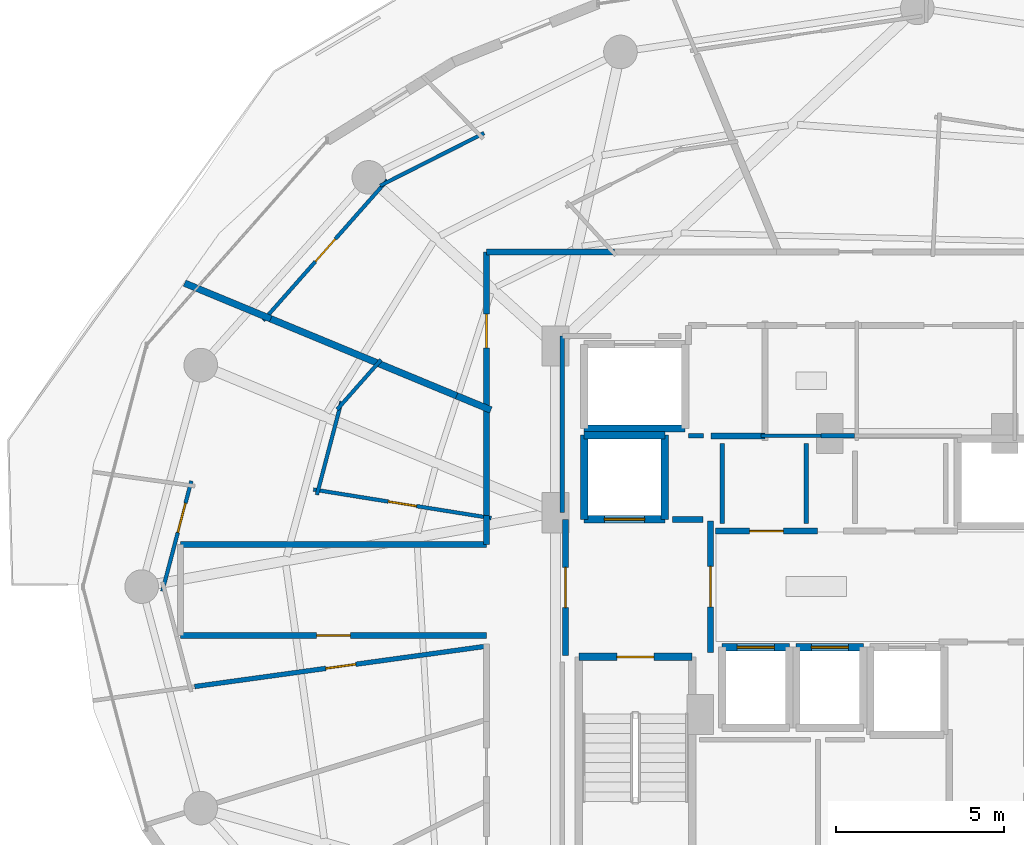
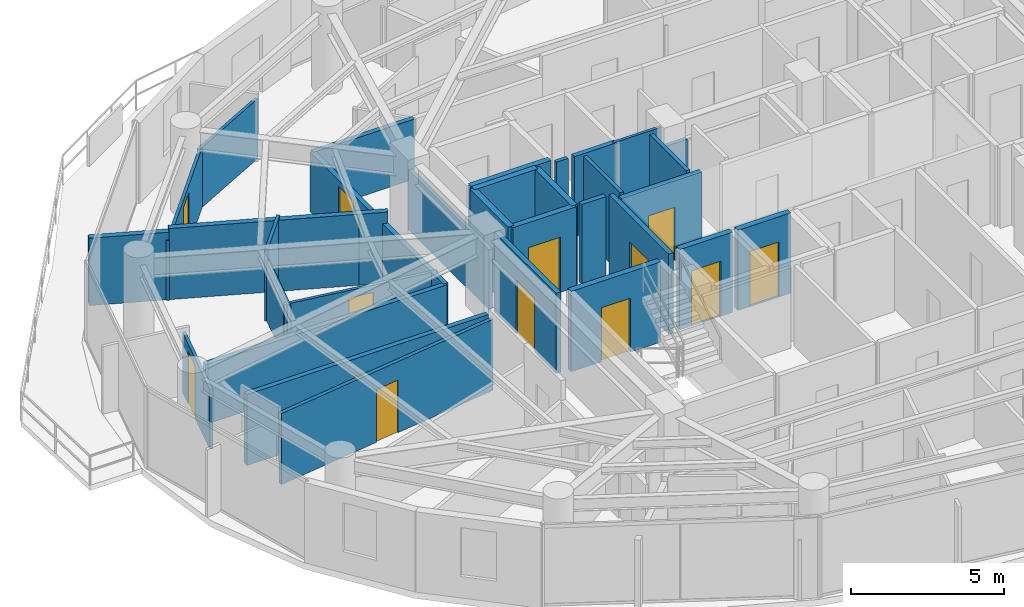
# One storey, part 22 of 29: 35 walls, 13 doors, 13 openings.
"""IFC4 building model written with IfcOpenShell, lengths in metres."""

from ifc_helpers import new_model, si_unit, direction, frame, frame_2d, origin, place, context, subcontext, project, spatial, rectangle, extrude, material, layer, layer_set, type_object, element, fill, save


model = new_model("IFC4")

# Units and contexts
model_context = context("Model", 3, precision=1e-05, world=origin(), true_north=direction((0.0, 1.0)))
body_context = subcontext(model_context, "Body", "Model", "MODEL_VIEW")
ifc_project = project(units=[si_unit("LENGTHUNIT", "METRE"), si_unit("AREAUNIT", "SQUARE_METRE"), si_unit("VOLUMEUNIT", "CUBIC_METRE"), si_unit("PLANEANGLEUNIT", "RADIAN"), si_unit("MASSUNIT", "GRAM", prefix="KILO")], contexts=[model_context])

# Site, building, storey
site_placement = place(None, origin())
site = spatial("IfcSite", under=ifc_project, at=site_placement, CompositionType="ELEMENT")
building_placement = place(site_placement, origin())
building = spatial("IfcBuilding", under=site, at=building_placement, Name="Vorneva Point Tower", CompositionType="ELEMENT")
storey_placement = place(building_placement, frame((0.0, 0.0, 171.10009765625)))
storey = spatial("IfcBuildingStorey", under=building, at=storey_placement, Name="L46", CompositionType="ELEMENT", Elevation=171.10009765625)

# Wall, opening, door
ifc_material_1 = material(Name="Concrete B60 (C50/60)", Category="concrete")
ifc_layer_1 = layer(ifc_material_1, 0.5)
ifc_layer_set_1 = layer_set([ifc_layer_1], Name="Concrete B60 (C50/60)")
wall_type_1 = type_object("IfcWallType", Name="WL-CORE-500", PredefinedType="SHEAR", material=ifc_layer_set_1)
wall_1_placement = place(storey_placement, frame((28.10009765625, 28.0, 0.0), z_axis=(0.0, 0.0, 1.0), x_axis=(1.0, 0.0, 0.0)))
wall_1 = element("IfcWall", 1, at=wall_1_placement, inside=storey, type_object=wall_type_1, Name="L46 Lift FFL1 Shaft Wall -Y", PredefinedType="SHEAR", context=body_context, shape_type="SweptSolid", body=[
    extrude(rectangle(XDim=2.39990234375, YDim=0.219970703125, at=frame_2d((1.199951171875, 0.0))), origin(), (0.0, 0.0, 1.0), 3.199951171875),
])
opening_1_placement = place(wall_1_placement, frame((0.60009765625, 0.0, 0.0)))
opening_1 = element("IfcOpeningElement", 2, at=opening_1_placement, cuts=wall_1, Name="Opening LD-02", PredefinedType="OPENING", context=body_context, shape_type="SweptSolid", body=[
    extrude(rectangle(XDim=1.199951171875, YDim=2.199951171875, at=frame_2d((0.60009765625, 1.10009765625))), frame((0.0, 0.125, 0.0), z_axis=(0.0, -1.0, 0.0), x_axis=(1.0, 0.0, 0.0)), (0.0, 0.0, 1.0), 0.249755859375),
])
ifc_material_2 = material(Name="Brushed stainless steel S304", Category="steel")
door_type_1 = type_object("IfcDoorType", Name="LD-FIRE-1200", OperationType="SLIDING_TO_LEFT", PredefinedType="DOOR", material=ifc_material_2)
door_1_placement = place(opening_1_placement, origin())
door_1 = element("IfcDoor", 3, at=door_1_placement, inside=storey, type_object=door_type_1, Name="L46 Lift FFL1 Sliding Landing Door", OperationType="SLIDING_TO_LEFT", OverallHeight=2.199951171875, OverallWidth=1.199951171875, PredefinedType="DOOR", context=body_context, shape_type="SweptSolid", body=[
    extrude(rectangle(XDim=1.199951171875, YDim=2.199951171875, at=frame_2d((0.60009765625, 1.10009765625))), frame((0.0, 0.02490234375, 0.0), z_axis=(0.0, -1.0, 0.0), x_axis=(1.0, 0.0, 0.0)), (0.0, 0.0, 1.0), 0.050048828125),
])
fill(opening_1, door_1)

# Walls
wall_2_placement = place(storey_placement, frame((30.5, 28.0, 0.0), z_axis=(0.0, 0.0, 1.0), x_axis=(0.0, 1.0, 0.0)))
element("IfcWall", 4, at=wall_2_placement, inside=storey, type_object=wall_type_1, Name="L46 Lift FFL1 Shaft Wall +X", PredefinedType="SHEAR", context=body_context, shape_type="SweptSolid", body=[
    extrude(rectangle(XDim=2.5, YDim=0.219970703125, at=frame_2d((1.25, 0.0))), origin(), (0.0, 0.0, 1.0), 3.199951171875),
])
wall_3_placement = place(storey_placement, frame((30.5, 30.5, 0.0), z_axis=(0.0, 0.0, 1.0), x_axis=(-1.0, 0.0, 0.0)))
element("IfcWall", 5, at=wall_3_placement, inside=storey, type_object=wall_type_1, Name="L46 Lift FFL1 Shaft Wall +Y", PredefinedType="SHEAR", context=body_context, shape_type="SweptSolid", body=[
    extrude(rectangle(XDim=2.39990234375, YDim=0.219970703125, at=frame_2d((1.199951171875, 0.0))), origin(), (0.0, 0.0, 1.0), 3.199951171875),
])
wall_4_placement = place(storey_placement, frame((28.10009765625, 30.5, 0.0), z_axis=(0.0, 0.0, 1.0), x_axis=(0.0, -1.0, 0.0)))
element("IfcWall", 6, at=wall_4_placement, inside=storey, type_object=wall_type_1, Name="L46 Lift FFL1 Shaft Wall -X", PredefinedType="SHEAR", context=body_context, shape_type="SweptSolid", body=[
    extrude(rectangle(XDim=2.5, YDim=0.219970703125, at=frame_2d((1.25, 0.0))), origin(), (0.0, 0.0, 1.0), 3.199951171875),
])
ifc_material_3 = material(Name="Fire-rated acoustic gypsum stud partition", Category="gypsum")
ifc_layer_2 = layer(ifc_material_3, 0.110107421875)
ifc_layer_set_2 = layer_set([ifc_layer_2], Name="Fire-rated acoustic gypsum stud partition")
wall_type_2 = type_object("IfcWallType", Name="WL-PART-110", PredefinedType="PARTITIONING", material=ifc_layer_set_2)
wall_5_placement = place(storey_placement, frame((33.360107421875, 30.47998046875, 0.0), z_axis=(0.0, 0.0, 1.0), x_axis=(1.0, 0.0, 0.0)))
element("IfcWall", 7, at=wall_5_placement, inside=storey, type_object=wall_type_2, Name="L46 Interior Partition 019", PredefinedType="PARTITIONING", context=body_context, shape_type="SweptSolid", body=[
    extrude(rectangle(XDim=1.809814453125, YDim=0.110107421875, at=frame_2d((0.90478515625, 0.0))), origin(), (0.0, 0.0, 1.0), 3.199951171875),
])
wall_6_placement = place(storey_placement, frame((25.1259765625, 39.477294921875, 0.0), z_axis=(0.0, 0.0, 1.0), x_axis=(-0.892387252946, -0.451270418683, 0.0)))
element("IfcWall", 8, at=wall_6_placement, inside=storey, type_object=wall_type_2, Name="L46 Interior Partition 080", PredefinedType="PARTITIONING", context=body_context, shape_type="SweptSolid", body=[
    extrude(rectangle(XDim=3.46240234375, YDim=0.110107421875, at=frame_2d((1.731201171875, 0.0))), origin(), (0.0, 0.0, 1.0), 2.391845703125),
])

# Wall, opening, door
wall_7_placement = place(storey_placement, frame((22.253662109375, 38.0830078125, 0.0), z_axis=(0.0, 0.0, 1.0), x_axis=(-0.66219665239, -0.749330096529, 0.0)))
wall_7 = element("IfcWall", 9, at=wall_7_placement, inside=storey, type_object=wall_type_2, Name="L46 Interior Partition 081", PredefinedType="PARTITIONING", context=body_context, shape_type="SweptSolid", body=[
    extrude(rectangle(XDim=5.572998046875, YDim=0.110107421875, at=frame_2d((2.78662109375, 0.0))), origin(), (0.0, 0.0, 1.0), 2.391845703125),
])
opening_2_placement = place(wall_7_placement, frame((2.33642578125, 0.0, 0.0)))
opening_2 = element("IfcOpeningElement", 10, at=opening_2_placement, cuts=wall_7, Name="Opening ID-01", PredefinedType="OPENING", context=body_context, shape_type="SweptSolid", body=[
    extrude(rectangle(XDim=0.89990234375, YDim=2.10009765625, at=frame_2d((0.449951171875, 1.050048828125))), frame((0.0, 0.06982421875, 0.0), z_axis=(0.0, -1.0, 0.0), x_axis=(1.0, 0.0, 0.0)), (0.0, 0.0, 1.0), 0.139892578125),
])
ifc_material_4 = material(Name="Engineered oak fire-rated door leaf", Category="wood")
door_type_2 = type_object("IfcDoorType", Name="DR-ROOM-900", OperationType="NOTDEFINED", PredefinedType="DOOR", material=ifc_material_4)
door_2_placement = place(opening_2_placement, origin())
door_2 = element("IfcDoor", 11, at=door_2_placement, inside=storey, type_object=door_type_2, Name="L46 Door Studio Apartment L46-03 / Kitchen L46-03", OperationType="SINGLE_SWING_LEFT", OverallHeight=2.10009765625, OverallWidth=0.89990234375, PredefinedType="DOOR", context=body_context, shape_type="SweptSolid", body=[
    extrude(rectangle(XDim=0.89990234375, YDim=2.10009765625, at=frame_2d((0.449951171875, 1.050048828125))), frame((0.0, 0.02490234375, 0.0), z_axis=(0.0, -1.0, 0.0), x_axis=(1.0, 0.0, 0.0)), (0.0, 0.0, 1.0), 0.050048828125),
])
fill(opening_2, door_2)

wall_8_placement = place(storey_placement, frame((25.338134765625, 28.035888671875, 0.0), z_axis=(0.0, 0.0, 1.0), x_axis=(-0.987323350325, 0.158721775139, 0.0)))
wall_8 = element("IfcWall", 12, at=wall_8_placement, inside=storey, type_object=wall_type_2, Name="L46 Interior Partition 085", PredefinedType="PARTITIONING", context=body_context, shape_type="SweptSolid", body=[
    extrude(rectangle(XDim=5.351318359375, YDim=0.110107421875, at=frame_2d((2.67578125, 0.0))), origin(), (0.0, 0.0, 1.0), 2.391845703125),
])
opening_3_placement = place(wall_8_placement, frame((2.25048828125, 0.0, 0.0)))
opening_3 = element("IfcOpeningElement", 13, at=opening_3_placement, cuts=wall_8, Name="Opening ID-02", PredefinedType="OPENING", context=body_context, shape_type="SweptSolid", body=[
    extrude(rectangle(XDim=0.85009765625, YDim=2.10009765625, at=frame_2d((0.425048828125, 1.050048828125))), frame((0.0, 0.06982421875, 0.0), z_axis=(0.0, -1.0, 0.0), x_axis=(1.0, 0.0, 0.0)), (0.0, 0.0, 1.0), 0.139892578125),
])
door_type_3 = type_object("IfcDoorType", Name="DR-BATH-850", OperationType="NOTDEFINED", PredefinedType="DOOR", material=ifc_material_4)
door_3_placement = place(opening_3_placement, origin())
door_3 = element("IfcDoor", 14, at=door_3_placement, inside=storey, type_object=door_type_3, Name="L46 Door Living and Dining Room L46-04 / Bathroom L46-04", OperationType="SINGLE_SWING_RIGHT", OverallHeight=2.10009765625, OverallWidth=0.85009765625, PredefinedType="DOOR", context=body_context, shape_type="SweptSolid", body=[
    extrude(rectangle(XDim=0.85009765625, YDim=2.10009765625, at=frame_2d((0.425048828125, 1.050048828125))), frame((0.0, 0.02490234375, 0.0), z_axis=(0.0, -1.0, 0.0), x_axis=(1.0, 0.0, 0.0)), (0.0, 0.0, 1.0), 0.050048828125),
])
fill(opening_3, door_3)

# Walls
wall_9_placement = place(storey_placement, frame((20.157470703125, 28.7275390625, 0.0), z_axis=(0.0, 0.0, 1.0), x_axis=(0.254472387963, 0.967080039999, 0.0)))
element("IfcWall", 15, at=wall_9_placement, inside=storey, type_object=wall_type_2, Name="L46 Interior Partition 086", PredefinedType="PARTITIONING", context=body_context, shape_type="SweptSolid", body=[
    extrude(rectangle(XDim=2.873291015625, YDim=0.110107421875, at=frame_2d((1.4365234375, 0.0))), origin(), (0.0, 0.0, 1.0), 2.391845703125),
])
wall_10_placement = place(storey_placement, frame((20.76025390625, 31.26611328125, 0.0), z_axis=(0.0, 0.0, 1.0), x_axis=(0.662014950831, 0.749490630279, 0.0)))
element("IfcWall", 16, at=wall_10_placement, inside=storey, type_object=wall_type_2, Name="L46 Interior Partition 087", PredefinedType="PARTITIONING", context=body_context, shape_type="SweptSolid", body=[
    extrude(rectangle(XDim=1.970458984375, YDim=0.110107421875, at=frame_2d((0.9853515625, 0.0))), origin(), (0.0, 0.0, 1.0), 2.888916015625),
])

# Wall, opening, door
wall_11_placement = place(storey_placement, frame((16.426513671875, 29.141357421875, 0.0), z_axis=(0.0, 0.0, 1.0), x_axis=(-0.254418818964, -0.967094134279, 0.0)))
wall_11 = element("IfcWall", 17, at=wall_11_placement, inside=storey, type_object=wall_type_2, Name="L46 Interior Partition 088", PredefinedType="PARTITIONING", context=body_context, shape_type="SweptSolid", body=[
    extrude(rectangle(XDim=3.388427734375, YDim=0.110107421875, at=frame_2d((1.6943359375, 0.0))), origin(), (0.0, 0.0, 1.0), 2.391845703125),
])
opening_4_placement = place(wall_11_placement, frame((0.68408203125, 0.0, 0.0)))
opening_4 = element("IfcOpeningElement", 18, at=opening_4_placement, cuts=wall_11, Name="Opening ID-01", PredefinedType="OPENING", context=body_context, shape_type="SweptSolid", body=[
    extrude(rectangle(XDim=0.89990234375, YDim=2.10009765625, at=frame_2d((0.449951171875, 1.050048828125))), frame((0.0, 0.06982421875, 0.0), z_axis=(0.0, -1.0, 0.0), x_axis=(1.0, 0.0, 0.0)), (0.0, 0.0, 1.0), 0.139892578125),
])
door_4_placement = place(opening_4_placement, origin())
door_4 = element("IfcDoor", 19, at=door_4_placement, inside=storey, type_object=door_type_2, Name="L46 Door Living and Dining Room L46-04 / Kitchen L46-04", OperationType="SINGLE_SWING_LEFT", OverallHeight=2.10009765625, OverallWidth=0.89990234375, PredefinedType="DOOR", context=body_context, shape_type="SweptSolid", body=[
    extrude(rectangle(XDim=0.89990234375, YDim=2.10009765625, at=frame_2d((0.449951171875, 1.050048828125))), frame((0.0, 0.02490234375, 0.0), z_axis=(0.0, -1.0, 0.0), x_axis=(1.0, 0.0, 0.0)), (0.0, 0.0, 1.0), 0.050048828125),
])
fill(opening_4, door_4)

ifc_layer_3 = layer(ifc_material_3, 0.139892578125)
ifc_layer_set_3 = layer_set([ifc_layer_3], Name="Fire-rated acoustic gypsum stud partition")
wall_type_3 = type_object("IfcWallType", Name="WL-PART-140", PredefinedType="PARTITIONING", material=ifc_layer_set_3)
wall_12_placement = place(storey_placement, frame((16.524658203125, 23.030029296875, 0.0), z_axis=(0.0, 0.0, 1.0), x_axis=(0.990569142752, 0.137013770941, 0.0)))
wall_12 = element("IfcWall", 20, at=wall_12_placement, inside=storey, type_object=wall_type_3, Name="L46 Interior Partition 093", PredefinedType="PARTITIONING", context=body_context, shape_type="SweptSolid", body=[
    extrude(rectangle(XDim=8.7578125, YDim=0.139892578125, at=frame_2d((4.37890625, 0.0))), origin(), (0.0, 0.0, 1.0), 2.833984375),
])
opening_5_placement = place(wall_12_placement, frame((3.928955078125, 0.0, 0.0)))
opening_5 = element("IfcOpeningElement", 21, at=opening_5_placement, cuts=wall_12, Name="Opening ID-01", PredefinedType="OPENING", context=body_context, shape_type="SweptSolid", body=[
    extrude(rectangle(XDim=0.89990234375, YDim=2.10009765625, at=frame_2d((0.449951171875, 1.050048828125))), frame((0.0, 0.0849609375, 0.0), z_axis=(0.0, -1.0, 0.0), x_axis=(1.0, 0.0, 0.0)), (0.0, 0.0, 1.0), 0.169677734375),
])
door_5_placement = place(opening_5_placement, origin())
door_5 = element("IfcDoor", 22, at=door_5_placement, inside=storey, type_object=door_type_2, Name="L46 Door Living and Dining Room L46-04 / Master Bedroom L46-04.1", OperationType="SINGLE_SWING_RIGHT", OverallHeight=2.10009765625, OverallWidth=0.89990234375, PredefinedType="DOOR", context=body_context, shape_type="SweptSolid", body=[
    extrude(rectangle(XDim=0.89990234375, YDim=2.10009765625, at=frame_2d((0.449951171875, 1.050048828125))), frame((0.0, 0.02490234375, 0.0), z_axis=(0.0, -1.0, 0.0), x_axis=(1.0, 0.0, 0.0)), (0.0, 0.0, 1.0), 0.050048828125),
])
fill(opening_5, door_5)

# Walls
wall_13_placement = place(storey_placement, frame((31.199951171875, 30.47998046875, 0.0), z_axis=(0.0, 0.0, 1.0), x_axis=(1.0, 0.0, 0.0)))
element("IfcWall", 23, at=wall_13_placement, inside=storey, type_object=wall_type_3, Name="L46 Interior Closure Partition 113", PredefinedType="PARTITIONING", context=body_context, shape_type="SweptSolid", body=[
    extrude(rectangle(XDim=0.449951171875, YDim=0.139892578125, at=frame_2d((0.22509765625, 0.0))), origin(), (0.0, 0.0, 1.0), 3.199951171875),
])
wall_14_placement = place(storey_placement, frame((35.139892578125, 30.47998046875, 0.0), z_axis=(0.0, 0.0, 1.0), x_axis=(1.0, 0.0, 0.0)))
element("IfcWall", 24, at=wall_14_placement, inside=storey, type_object=wall_type_3, Name="L46 Interior Closure Partition 114", PredefinedType="PARTITIONING", context=body_context, shape_type="SweptSolid", body=[
    extrude(rectangle(XDim=1.0, YDim=0.139892578125, at=frame_2d((0.5, 0.0))), origin(), (0.0, 0.0, 1.0), 2.391845703125),
])
for number, where, z_axis, x_axis, name in (
    (25, (32.199951171875, 30.260009765625, 0.0), (0.0, 0.0, 1.0), (0.0, -1.0, 0.0), "L46 Interior Closure Partition 119"),
    (26, (34.699951171875, 27.8701171875, 0.0), (0.0, 0.0, 1.0), (0.0, 1.0, 0.0), "L46 Interior Closure Partition 120"),
):
    element("IfcWall", number, at=place(storey_placement, frame(where, z_axis=z_axis, x_axis=x_axis)), inside=storey, type_object=wall_type_3, Name=name, PredefinedType="PARTITIONING", context=body_context, shape_type="SweptSolid", body=[
        extrude(rectangle(XDim=2.389892578125, YDim=0.139892578125, at=frame_2d((1.19482421875, 0.0))), origin(), (0.0, 0.0, 1.0), 3.199951171875),
    ])
wall_15_placement = place(storey_placement, frame((27.449951171875, 33.449951171875, 0.0), z_axis=(0.0, 0.0, 1.0), x_axis=(0.0, -1.0, 0.0)))
element("IfcWall", 27, at=wall_15_placement, inside=storey, type_object=wall_type_3, Name="L46 Interior Closure Partition 128", PredefinedType="PARTITIONING", context=body_context, shape_type="SweptSolid", body=[
    extrude(rectangle(XDim=5.25390625, YDim=0.139892578125, at=frame_2d((2.626953125, 0.0))), origin(), (0.0, 0.0, 1.0), 2.391845703125),
])

# Wall, opening, door
ifc_material_5 = material(Name="Autoclaved aerated concrete blockwork", Category="masonry")
ifc_layer_4 = layer(ifc_material_5, 0.179931640625)
ifc_layer_set_4 = layer_set([ifc_layer_4], Name="Autoclaved aerated concrete blockwork")
wall_type_4 = type_object("IfcWallType", Name="WL-PART-180", PredefinedType="PARTITIONING", material=ifc_layer_set_4)
wall_16_placement = place(storey_placement, frame((31.85009765625, 24.044921875, 0.0), z_axis=(0.0, 0.0, 1.0), x_axis=(0.0, 1.0, 0.0)))
wall_16 = element("IfcWall", 28, at=wall_16_placement, inside=storey, type_object=wall_type_4, Name="L46 Interior Partition 001", PredefinedType="PARTITIONING", context=body_context, shape_type="SweptSolid", body=[
    extrude(rectangle(XDim=3.91015625, YDim=0.179931640625, at=frame_2d((1.955078125, 0.0))), origin(), (0.0, 0.0, 1.0), 3.199951171875),
])
opening_6_placement = place(wall_16_placement, frame((1.35498046875, 0.0, 0.0)))
opening_6 = element("IfcOpeningElement", 29, at=opening_6_placement, cuts=wall_16, Name="Opening FD-02", PredefinedType="OPENING", context=body_context, shape_type="SweptSolid", body=[
    extrude(rectangle(XDim=1.199951171875, YDim=2.14990234375, at=frame_2d((0.60009765625, 1.074951171875))), frame((0.0, 0.10498046875, 0.0), z_axis=(0.0, -1.0, 0.0), x_axis=(1.0, 0.0, 0.0)), (0.0, 0.0, 1.0), 0.209716796875),
])
ifc_material_6 = material(Name="Fire-rated powder-coated steel", Category="steel")
door_type_4 = type_object("IfcDoorType", Name="DR-FFL-1200", OperationType="NOTDEFINED", PredefinedType="DOOR", material=ifc_material_6)
door_6_placement = place(opening_6_placement, origin())
door_6 = element("IfcDoor", 30, at=door_6_placement, inside=storey, type_object=door_type_4, Name="L46 Door West Firefighting Lobby / Central Lift Lobby", OperationType="SINGLE_SWING_RIGHT", OverallHeight=2.14990234375, OverallWidth=1.199951171875, PredefinedType="DOOR", context=body_context, shape_type="SweptSolid", body=[
    extrude(rectangle(XDim=1.199951171875, YDim=2.14990234375, at=frame_2d((0.60009765625, 1.074951171875))), frame((0.0, 0.02490234375, 0.0), z_axis=(0.0, -1.0, 0.0), x_axis=(1.0, 0.0, 0.0)), (0.0, 0.0, 1.0), 0.050048828125),
])
fill(opening_6, door_6)

wall_17_placement = place(storey_placement, frame((27.550048828125, 28.0, 0.0), z_axis=(0.0, 0.0, 1.0), x_axis=(0.0, -1.0, 0.0)))
wall_17 = element("IfcWall", 31, at=wall_17_placement, inside=storey, type_object=wall_type_4, Name="L46 Interior Partition 002", PredefinedType="PARTITIONING", context=body_context, shape_type="SweptSolid", body=[
    extrude(rectangle(XDim=4.050048828125, YDim=0.179931640625, at=frame_2d((2.02490234375, 0.0))), origin(), (0.0, 0.0, 1.0), 3.199951171875),
])
opening_7_placement = place(wall_17_placement, frame((1.425048828125, 0.0, 0.0)))
opening_7 = element("IfcOpeningElement", 32, at=opening_7_placement, cuts=wall_17, Name="Opening FD-02", PredefinedType="OPENING", context=body_context, shape_type="SweptSolid", body=[
    extrude(rectangle(XDim=1.199951171875, YDim=2.14990234375, at=frame_2d((0.60009765625, 1.074951171875))), frame((0.0, 0.10498046875, 0.0), z_axis=(0.0, -1.0, 0.0), x_axis=(1.0, 0.0, 0.0)), (0.0, 0.0, 1.0), 0.209716796875),
])
door_7_placement = place(opening_7_placement, origin())
door_7 = element("IfcDoor", 33, at=door_7_placement, inside=storey, type_object=door_type_4, Name="L46 Door West Firefighting Lobby / L46 Circulation Corridor", OperationType="SINGLE_SWING_RIGHT", OverallHeight=2.14990234375, OverallWidth=1.199951171875, PredefinedType="DOOR", context=body_context, shape_type="SweptSolid", body=[
    extrude(rectangle(XDim=1.199951171875, YDim=2.14990234375, at=frame_2d((0.60009765625, 1.074951171875))), frame((0.0, 0.02490234375, 0.0), z_axis=(0.0, -1.0, 0.0), x_axis=(1.0, 0.0, 0.0)), (0.0, 0.0, 1.0), 0.050048828125),
])
fill(opening_7, door_7)

# Wall
wall_18_placement = place(storey_placement, frame((31.8701171875, 30.47998046875, 0.0), z_axis=(0.0, 0.0, 1.0), x_axis=(1.0, 0.0, 0.0)))
element("IfcWall", 34, at=wall_18_placement, inside=storey, type_object=wall_type_4, Name="L46 Interior Partition 007", PredefinedType="PARTITIONING", context=body_context, shape_type="SweptSolid", body=[
    extrude(rectangle(XDim=1.599853515625, YDim=0.179931640625, at=frame_2d((0.7998046875, 0.0))), origin(), (0.0, 0.0, 1.0), 3.199951171875),
])

# Wall, opening, door
wall_19_placement = place(storey_placement, frame((35.0400390625, 27.64990234375, 0.0), z_axis=(0.0, 0.0, 1.0), x_axis=(-1.0, 0.0, 0.0)))
wall_19 = element("IfcWall", 35, at=wall_19_placement, inside=storey, type_object=wall_type_4, Name="L46 Interior Partition 012", PredefinedType="PARTITIONING", context=body_context, shape_type="SweptSolid", body=[
    extrude(rectangle(XDim=3.0400390625, YDim=0.179931640625, at=frame_2d((1.52001953125, 0.0))), origin(), (0.0, 0.0, 1.0), 3.199951171875),
])
opening_8_placement = place(wall_19_placement, frame((1.02001953125, 0.0, 0.0)))
opening_8 = element("IfcOpeningElement", 36, at=opening_8_placement, cuts=wall_19, Name="Opening UD-01", PredefinedType="OPENING", context=body_context, shape_type="SweptSolid", body=[
    extrude(rectangle(XDim=1.0, YDim=2.14990234375, at=frame_2d((0.5, 1.074951171875))), frame((0.0, 0.10498046875, 0.0), z_axis=(0.0, -1.0, 0.0), x_axis=(1.0, 0.0, 0.0)), (0.0, 0.0, 1.0), 0.209716796875),
])
door_type_5 = type_object("IfcDoorType", Name="DR-UNIT-1000", OperationType="NOTDEFINED", PredefinedType="DOOR", material=ifc_material_4)
door_8_placement = place(opening_8_placement, origin())
door_8 = element("IfcDoor", 37, at=door_8_placement, inside=storey, type_object=door_type_5, Name="L46 Door Central Lift Lobby / Reclaimed Core Lounge", OperationType="SINGLE_SWING_LEFT", OverallHeight=2.14990234375, OverallWidth=1.0, PredefinedType="DOOR", context=body_context, shape_type="SweptSolid", body=[
    extrude(rectangle(XDim=1.0, YDim=2.14990234375, at=frame_2d((0.5, 1.074951171875))), frame((0.0, 0.02490234375, 0.0), z_axis=(0.0, -1.0, 0.0), x_axis=(1.0, 0.0, 0.0)), (0.0, 0.0, 1.0), 0.050048828125),
])
fill(opening_8, door_8)

# Wall
wall_20_placement = place(storey_placement, frame((29.006103515625, 35.949951171875, 0.0), z_axis=(0.0, 0.0, 1.0), x_axis=(-1.0, 0.0, 0.0)))
element("IfcWall", 38, at=wall_20_placement, inside=storey, type_object=wall_type_4, Name="L46 Interior Partition 034", PredefinedType="PARTITIONING", context=body_context, shape_type="SweptSolid", body=[
    extrude(rectangle(XDim=3.80615234375, YDim=0.179931640625, at=frame_2d((1.903076171875, 0.0))), origin(), (0.0, 0.0, 1.0), 2.391845703125),
])

# Wall, opening, door
wall_21_placement = place(storey_placement, frame((25.199951171875, 35.949951171875, 0.0), z_axis=(0.0, 0.0, 1.0), x_axis=(0.0, -1.0, 0.0)))
wall_21 = element("IfcWall", 39, at=wall_21_placement, inside=storey, type_object=wall_type_4, Name="L46 Interior Partition 035", PredefinedType="PARTITIONING", context=body_context, shape_type="SweptSolid", body=[
    extrude(rectangle(XDim=4.7080078125, YDim=0.179931640625, at=frame_2d((2.35400390625, 0.0))), origin(), (0.0, 0.0, 1.0), 2.391845703125),
])
opening_9_placement = place(wall_21_placement, frame((1.85400390625, 0.0, 0.0)))
opening_9 = element("IfcOpeningElement", 40, at=opening_9_placement, cuts=wall_21, Name="Opening UD-01", PredefinedType="OPENING", context=body_context, shape_type="SweptSolid", body=[
    extrude(rectangle(XDim=1.0, YDim=2.14990234375, at=frame_2d((0.5, 1.074951171875))), frame((0.0, 0.10498046875, 0.0), z_axis=(0.0, -1.0, 0.0), x_axis=(1.0, 0.0, 0.0)), (0.0, 0.0, 1.0), 0.209716796875),
])
door_9_placement = place(opening_9_placement, origin())
door_9 = element("IfcDoor", 41, at=door_9_placement, inside=storey, type_object=door_type_5, Name="L46 Door L46 Circulation Corridor / Studio Apartment L46-03", OperationType="SINGLE_SWING_RIGHT", OverallHeight=2.14990234375, OverallWidth=1.0, PredefinedType="DOOR", context=body_context, shape_type="SweptSolid", body=[
    extrude(rectangle(XDim=1.0, YDim=2.14990234375, at=frame_2d((0.5, 1.074951171875))), frame((0.0, 0.02490234375, 0.0), z_axis=(0.0, -1.0, 0.0), x_axis=(1.0, 0.0, 0.0)), (0.0, 0.0, 1.0), 0.050048828125),
])
fill(opening_9, door_9)

wall_22_placement = place(storey_placement, frame((16.10009765625, 24.550048828125, 0.0), z_axis=(0.0, 0.0, 1.0), x_axis=(1.0, 0.0, 0.0)))
wall_22 = element("IfcWall", 42, at=wall_22_placement, inside=storey, type_object=wall_type_4, Name="L46 Interior Partition 038", PredefinedType="PARTITIONING", context=body_context, shape_type="SweptSolid", body=[
    extrude(rectangle(XDim=9.099853515625, YDim=0.179931640625, at=frame_2d((4.5498046875, 0.0))), origin(), (0.0, 0.0, 1.0), 2.833984375),
])
opening_10_placement = place(wall_22_placement, frame((4.050048828125, 0.0, 0.0)))
opening_10 = element("IfcOpeningElement", 43, at=opening_10_placement, cuts=wall_22, Name="Opening UD-01", PredefinedType="OPENING", context=body_context, shape_type="SweptSolid", body=[
    extrude(rectangle(XDim=1.0, YDim=2.14990234375, at=frame_2d((0.5, 1.074951171875))), frame((0.0, 0.10498046875, 0.0), z_axis=(0.0, -1.0, 0.0), x_axis=(1.0, 0.0, 0.0)), (0.0, 0.0, 1.0), 0.209716796875),
])
door_10_placement = place(opening_10_placement, origin())
door_10 = element("IfcDoor", 44, at=door_10_placement, inside=storey, type_object=door_type_5, Name="L46 Door L46 Circulation Corridor / Living and Dining Room L46-04", OperationType="SINGLE_SWING_LEFT", OverallHeight=2.14990234375, OverallWidth=1.0, PredefinedType="DOOR", context=body_context, shape_type="SweptSolid", body=[
    extrude(rectangle(XDim=1.0, YDim=2.14990234375, at=frame_2d((0.5, 1.074951171875))), frame((0.0, 0.02490234375, 0.0), z_axis=(0.0, -1.0, 0.0), x_axis=(1.0, 0.0, 0.0)), (0.0, 0.0, 1.0), 0.050048828125),
])
fill(opening_10, door_10)

# Walls
wall_23_placement = place(storey_placement, frame((25.199951171875, 28.118896484375, 0.0), z_axis=(0.0, 0.0, 1.0), x_axis=(0.0, -1.0, 0.0)))
element("IfcWall", 45, at=wall_23_placement, inside=storey, type_object=wall_type_4, Name="L46 Interior Partition 039", PredefinedType="PARTITIONING", context=body_context, shape_type="SweptSolid", body=[
    extrude(rectangle(XDim=0.868896484375, YDim=0.179931640625, at=frame_2d((0.4345703125, 0.0))), origin(), (0.0, 0.0, 1.0), 2.391845703125),
])
wall_24_placement = place(storey_placement, frame((25.199951171875, 27.25, 0.0), z_axis=(0.0, 0.0, 1.0), x_axis=(-1.0, 0.0, 0.0)))
element("IfcWall", 46, at=wall_24_placement, inside=storey, type_object=wall_type_4, Name="L46 Interior Partition 040", PredefinedType="PARTITIONING", context=body_context, shape_type="SweptSolid", body=[
    extrude(rectangle(XDim=9.099853515625, YDim=0.179931640625, at=frame_2d((4.5498046875, 0.0))), origin(), (0.0, 0.0, 1.0), 2.391845703125),
])
wall_25_placement = place(storey_placement, frame((25.199951171875, 31.382080078125, 0.0), z_axis=(0.0, 0.0, 1.0), x_axis=(0.0, -1.0, 0.0)))
element("IfcWall", 47, at=wall_25_placement, inside=storey, type_object=wall_type_4, Name="L46 Interior Partition 041", PredefinedType="PARTITIONING", context=body_context, shape_type="SweptSolid", body=[
    extrude(rectangle(XDim=3.403076171875, YDim=0.179931640625, at=frame_2d((1.70166015625, 0.0))), origin(), (0.0, 0.0, 1.0), 2.391845703125),
])
wall_26_placement = place(storey_placement, frame((31.635009765625, 28.0, 0.0), z_axis=(0.0, 0.0, 1.0), x_axis=(-1.0, 0.0, 0.0)))
element("IfcWall", 48, at=wall_26_placement, inside=storey, type_object=wall_type_4, Name="L46 Interior Closure Partition 111", PredefinedType="PARTITIONING", context=body_context, shape_type="SweptSolid", body=[
    extrude(rectangle(XDim=0.9150390625, YDim=0.179931640625, at=frame_2d((0.45751953125, 0.0))), origin(), (0.0, 0.0, 1.0), 3.199951171875),
])
ifc_layer_5 = layer(ifc_material_5, 0.199951171875)
ifc_layer_set_5 = layer_set([ifc_layer_5], Name="Autoclaved aerated concrete blockwork")
wall_type_5 = type_object("IfcWallType", Name="WL-PART-200", PredefinedType="PARTITIONING", material=ifc_layer_set_5)
wall_27_placement = place(storey_placement, frame((18.656005859375, 34.011962890625, 0.0), z_axis=(0.0, 0.0, 1.0), x_axis=(0.923899894496, -0.382634270486, 0.0)))
element("IfcWall", 49, at=wall_27_placement, inside=storey, type_object=wall_type_5, Name="L46 Interior Partition 082", PredefinedType="PARTITIONING", context=body_context, shape_type="SweptSolid", body=[
    extrude(rectangle(XDim=6.25927734375, YDim=0.199951171875, at=frame_2d((3.129638671875, 0.0))), origin(), (0.0, 0.0, 1.0), 2.833984375),
])
wall_28_placement = place(storey_placement, frame((24.309814453125, 31.670654296875, 0.0), z_axis=(0.0, 0.0, 1.0), x_axis=(0.923860433634, -0.38272953788, 0.0)))
element("IfcWall", 50, at=wall_28_placement, inside=storey, type_object=wall_type_5, Name="L46 Interior Partition 083", PredefinedType="PARTITIONING", context=body_context, shape_type="SweptSolid", body=[
    extrude(rectangle(XDim=1.103515625, YDim=0.199951171875, at=frame_2d((0.5517578125, 0.0))), origin(), (0.0, 0.0, 1.0), 2.833984375),
])
wall_29_placement = place(storey_placement, frame((16.2255859375, 35.0185546875, 0.0), z_axis=(0.0, 0.0, 1.0), x_axis=(0.923911593246, -0.382606021733, 0.0)))
element("IfcWall", 51, at=wall_29_placement, inside=storey, type_object=wall_type_5, Name="L46 Interior Partition 084", PredefinedType="PARTITIONING", context=body_context, shape_type="SweptSolid", body=[
    extrude(rectangle(XDim=2.7705078125, YDim=0.199951171875, at=frame_2d((1.38525390625, 0.0))), origin(), (0.0, 0.0, 1.0), 2.68798828125),
])

# Wall, opening, door
ifc_material_7 = material(Name="Concrete B50 (C40/50)", Category="concrete")
ifc_layer_6 = layer(ifc_material_7, 0.219970703125)
ifc_layer_set_6 = layer_set([ifc_layer_6], Name="Concrete B50 (C40/50)")
wall_type_6 = type_object("IfcWallType", Name="WL-SHFT-220", PredefinedType="SOLIDWALL", material=ifc_layer_set_6)
wall_30_placement = place(storey_placement, frame((27.93994140625, 23.909912109375, 0.0), z_axis=(0.0, 0.0, 1.0), x_axis=(1.0, 0.0, 0.0)))
wall_30 = element("IfcWall", 52, at=wall_30_placement, inside=storey, type_object=wall_type_6, Name="L46 Exit Stair ST1 Shaft Wall near", PredefinedType="SOLIDWALL", context=body_context, shape_type="SweptSolid", body=[
    extrude(rectangle(XDim=3.3701171875, YDim=0.219970703125, at=frame_2d((1.68505859375, 0.0))), origin(), (0.0, 0.0, 1.0), 3.199951171875),
])
opening_11_placement = place(wall_30_placement, frame((1.135009765625, 0.0, 0.0)))
opening_11 = element("IfcOpeningElement", 53, at=opening_11_placement, cuts=wall_30, Name="Opening FD-01", PredefinedType="OPENING", context=body_context, shape_type="SweptSolid", body=[
    extrude(rectangle(XDim=1.10009765625, YDim=2.14990234375, at=frame_2d((0.550048828125, 1.074951171875))), frame((0.0, 0.125, 0.0), z_axis=(0.0, -1.0, 0.0), x_axis=(1.0, 0.0, 0.0)), (0.0, 0.0, 1.0), 0.249755859375),
])
door_type_6 = type_object("IfcDoorType", Name="DR-STAIR-1100", OperationType="NOTDEFINED", PredefinedType="DOOR", material=ifc_material_6)
door_11_placement = place(opening_11_placement, origin())
door_11 = element("IfcDoor", 54, at=door_11_placement, inside=storey, type_object=door_type_6, Name="L46 Exit Stair ST1 Fire Door", OperationType="SINGLE_SWING_RIGHT", OverallHeight=2.14990234375, OverallWidth=1.10009765625, PredefinedType="DOOR", context=body_context, shape_type="SweptSolid", body=[
    extrude(rectangle(XDim=1.10009765625, YDim=2.14990234375, at=frame_2d((0.550048828125, 1.074951171875))), frame((0.0, 0.02490234375, 0.0), z_axis=(0.0, -1.0, 0.0), x_axis=(1.0, 0.0, 0.0)), (0.0, 0.0, 1.0), 0.050048828125),
])
fill(opening_11, door_11)

wall_31_placement = place(storey_placement, frame((34.199951171875, 24.199951171875, 0.0), z_axis=(0.0, 0.0, 1.0), x_axis=(-1.0, 0.0, 0.0)))
wall_31 = element("IfcWall", 55, at=wall_31_placement, inside=storey, type_object=wall_type_6, Name="L46 Lift PL4 Shaft Wall +Y", PredefinedType="SOLIDWALL", context=body_context, shape_type="SweptSolid", body=[
    extrude(rectangle(XDim=2.0, YDim=0.219970703125, at=frame_2d((1.0, 0.0))), origin(), (0.0, 0.0, 1.0), 3.199951171875),
])
opening_12_placement = place(wall_31_placement, frame((0.449951171875, 0.0, 0.0)))
opening_12 = element("IfcOpeningElement", 56, at=opening_12_placement, cuts=wall_31, Name="Opening LD-01", PredefinedType="OPENING", context=body_context, shape_type="SweptSolid", body=[
    extrude(rectangle(XDim=1.10009765625, YDim=2.199951171875, at=frame_2d((0.550048828125, 1.10009765625))), frame((0.0, 0.125, 0.0), z_axis=(0.0, -1.0, 0.0), x_axis=(1.0, 0.0, 0.0)), (0.0, 0.0, 1.0), 0.249755859375),
])
door_type_7 = type_object("IfcDoorType", Name="LD-PASS-1100", OperationType="SLIDING_TO_LEFT", PredefinedType="DOOR", material=ifc_material_2)
door_12_placement = place(opening_12_placement, origin())
door_12 = element("IfcDoor", 57, at=door_12_placement, inside=storey, type_object=door_type_7, Name="L46 Lift PL4 Sliding Landing Door", OperationType="SLIDING_TO_LEFT", OverallHeight=2.199951171875, OverallWidth=1.10009765625, PredefinedType="DOOR", context=body_context, shape_type="SweptSolid", body=[
    extrude(rectangle(XDim=1.10009765625, YDim=2.199951171875, at=frame_2d((0.550048828125, 1.10009765625))), frame((0.0, 0.02490234375, 0.0), z_axis=(0.0, -1.0, 0.0), x_axis=(1.0, 0.0, 0.0)), (0.0, 0.0, 1.0), 0.050048828125),
])
fill(opening_12, door_12)

wall_32_placement = place(storey_placement, frame((36.39990234375, 24.199951171875, 0.0), z_axis=(0.0, 0.0, 1.0), x_axis=(-1.0, 0.0, 0.0)))
wall_32 = element("IfcWall", 58, at=wall_32_placement, inside=storey, type_object=wall_type_6, Name="L46 Lift PL5 Shaft Wall +Y", PredefinedType="SOLIDWALL", context=body_context, shape_type="SweptSolid", body=[
    extrude(rectangle(XDim=2.0, YDim=0.219970703125, at=frame_2d((1.0, 0.0))), origin(), (0.0, 0.0, 1.0), 3.199951171875),
])
opening_13_placement = place(wall_32_placement, frame((0.449951171875, 0.0, 0.0)))
opening_13 = element("IfcOpeningElement", 59, at=opening_13_placement, cuts=wall_32, Name="Opening LD-01", PredefinedType="OPENING", context=body_context, shape_type="SweptSolid", body=[
    extrude(rectangle(XDim=1.10009765625, YDim=2.199951171875, at=frame_2d((0.550048828125, 1.10009765625))), frame((0.0, 0.125, 0.0), z_axis=(0.0, -1.0, 0.0), x_axis=(1.0, 0.0, 0.0)), (0.0, 0.0, 1.0), 0.249755859375),
])
door_13_placement = place(opening_13_placement, origin())
door_13 = element("IfcDoor", 60, at=door_13_placement, inside=storey, type_object=door_type_7, Name="L46 Lift PL5 Sliding Landing Door", OperationType="SLIDING_TO_LEFT", OverallHeight=2.199951171875, OverallWidth=1.10009765625, PredefinedType="DOOR", context=body_context, shape_type="SweptSolid", body=[
    extrude(rectangle(XDim=1.10009765625, YDim=2.199951171875, at=frame_2d((0.550048828125, 1.10009765625))), frame((0.0, 0.02490234375, 0.0), z_axis=(0.0, -1.0, 0.0), x_axis=(1.0, 0.0, 0.0)), (0.0, 0.0, 1.0), 0.050048828125),
])
fill(opening_13, door_13)

# Wall
wall_33_placement = place(storey_placement, frame((28.10009765625, 30.699951171875, 0.0), z_axis=(0.0, 0.0, 1.0), x_axis=(1.0, 0.0, 0.0)))
element("IfcWall", 61, at=wall_33_placement, inside=storey, type_object=wall_type_6, Name="L46 Lift SVL1 Shaft Wall -Y", PredefinedType="SOLIDWALL", context=body_context, shape_type="SweptSolid", body=[
    extrude(rectangle(XDim=3.0, YDim=0.219970703125, at=frame_2d((1.5, 0.0))), origin(), (0.0, 0.0, 1.0), 3.199951171875),
])

save(model, "model.ifc")
